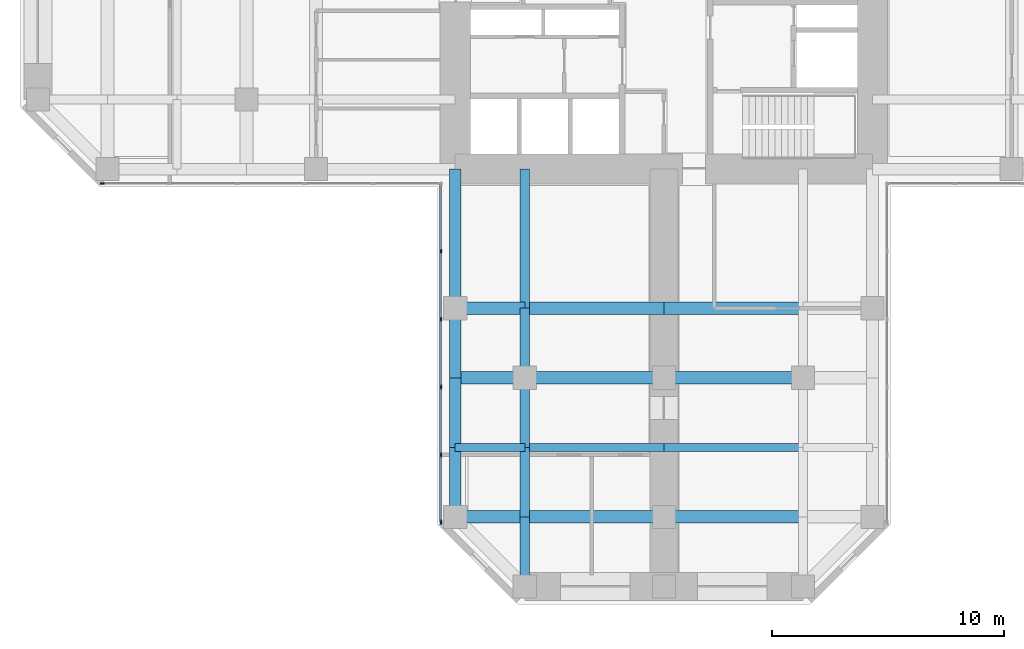
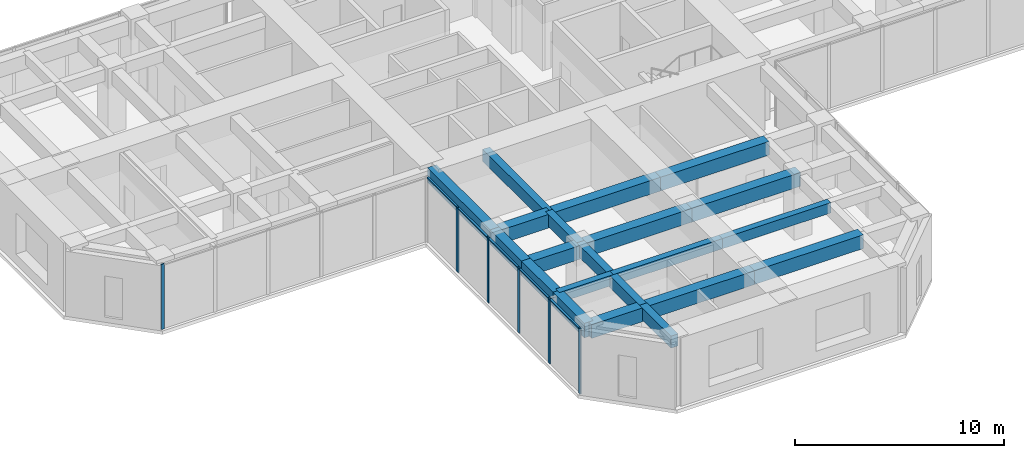
# One storey, part 2 of 12: 21 beams, 11 members, 2 elements without a shape of their own.
"""IFC4 building model written with IfcOpenShell, lengths in metres."""

from ifc_helpers import new_model, si_unit, direction, frame, origin, origin_2d, place, context, subcontext, project, spatial, rectangle, extrude, material, material_profile, profile_set, type_object, element, aggregate, save


model = new_model("IFC4")

# Units and contexts
model_context = context("Model", 3, precision=1e-05, world=origin(), true_north=direction((0.0, 1.0)))
body_context = subcontext(model_context, "Body", "Model", "MODEL_VIEW")
ifc_project = project(units=[si_unit("LENGTHUNIT", "METRE"), si_unit("AREAUNIT", "SQUARE_METRE"), si_unit("VOLUMEUNIT", "CUBIC_METRE"), si_unit("PLANEANGLEUNIT", "RADIAN"), si_unit("MASSUNIT", "GRAM", prefix="KILO")], contexts=[model_context])

# Site, building, storey
site_placement = place(None, origin())
site = spatial("IfcSite", under=ifc_project, at=site_placement, CompositionType="ELEMENT")
building_placement = place(site_placement, origin())
building = spatial("IfcBuilding", under=site, at=building_placement, Name="Torre Cruceta", CompositionType="ELEMENT")
storey_placement = place(building_placement, frame((0.0, 0.0, 112.5)))
storey = spatial("IfcBuildingStorey", under=building, at=storey_placement, Name="L27", CompositionType="ELEMENT", Elevation=112.5)

# Beams
ifc_material_1 = material(Name="Concrete G60 (fck 60 MPa)", Category="concrete")
ifc_material_profile_1 = material_profile(ifc_material_1, rectangle(XDim=0.39990234375, YDim=0.699951171875, at=origin_2d()), Name="RC 400X700")
ifc_profile_set_1 = profile_set([ifc_material_profile_1], Name="Concrete G60 (fck 60 MPa)")
beam_type_1 = type_object("IfcBeamType", Name="COLUMN LINE BEAM RC 400X700", PredefinedType="BEAM", material=ifc_profile_set_1)
beam_1_placement = place(storey_placement, frame((-6.0, -9.0, 3.449951171875), z_axis=(0.0, -1.0, 0.0), x_axis=(1.0, 0.0, 0.0)))
element("IfcBeam", 1, at=beam_1_placement, inside=storey, type_object=beam_type_1, Name="LB5 L27 S col- 1", PredefinedType="BEAM", context=body_context, shape_type="SweptSolid", body=[
    extrude(rectangle(XDim=0.39990234375, YDim=0.699951171875, at=origin_2d()), origin(), (0.0, 0.0, 1.0), 6.0),
])
for number, where, z_axis, x_axis, name in (
    (2, (-6.0, -15.0, 3.449951171875), (0.0, -1.0, 0.0), (1.0, 0.0, 0.0), "LB5 L27 S col- 2"),
    (3, (-6.0, -18.0, 3.449951171875), (0.0, -1.0, 0.0), (1.0, 0.0, 0.0), "LB5 L27 S col- 3"),
    (4, (-6.0, -21.0, 3.449951171875), (0.0, -1.0, 0.0), (1.0, 0.0, 0.0), "LB5 L27 S col- 4"),
    (5, (-6.0, -24.0, 3.449951171875), (0.0, -1.0, 0.0), (1.0, 0.0, 0.0), "LB5 L27 S col- 5"),
):
    element("IfcBeam", number, at=place(storey_placement, frame(where, z_axis=z_axis, x_axis=x_axis)), inside=storey, type_object=beam_type_1, Name=name, PredefinedType="BEAM", context=body_context, shape_type="SweptSolid", body=[
        extrude(rectangle(XDim=0.39990234375, YDim=0.699951171875, at=origin_2d()), origin(), (0.0, 0.0, 1.0), 3.0),
    ])
ifc_material_2 = material(Name="Concrete G60 (fck 60 MPa)", Category="concrete")
ifc_material_profile_2 = material_profile(ifc_material_2, rectangle(XDim=0.550048828125, YDim=0.800048828125, at=origin_2d()), Name="RC 550X800")
ifc_profile_set_2 = profile_set([ifc_material_profile_2], Name="Concrete G60 (fck 60 MPa)")
beam_type_2 = type_object("IfcBeamType", Name="CROSS BEAM RC 550X800", PredefinedType="BEAM", material=ifc_profile_set_2)
beam_2_placement = place(storey_placement, frame((-9.0, -15.0, 3.39990234375), z_axis=(1.0, 0.0, 0.0), x_axis=(0.0, 1.0, 0.0)))
element("IfcBeam", 6, at=beam_2_placement, inside=storey, type_object=beam_type_2, Name="GB5 L27 S cross15 1", PredefinedType="BEAM", context=body_context, shape_type="SweptSolid", body=[
    extrude(rectangle(XDim=0.550048828125, YDim=0.800048828125, at=origin_2d()), origin(), (0.0, 0.0, 1.0), 3.0),
])
for number, where, z_axis, x_axis, name in (
    (7, (-6.0, -15.0, 3.39990234375), (1.0, 0.0, 0.0), (0.0, 1.0, 0.0), "GB5 L27 S cross15 2"),
    (8, (0.0, -15.0, 3.39990234375), (1.0, 0.0, 0.0), (0.0, 1.0, 0.0), "GB5 L27 S cross15 3"),
):
    element("IfcBeam", number, at=place(storey_placement, frame(where, z_axis=z_axis, x_axis=x_axis)), inside=storey, type_object=beam_type_2, Name=name, PredefinedType="BEAM", context=body_context, shape_type="SweptSolid", body=[
        extrude(rectangle(XDim=0.550048828125, YDim=0.800048828125, at=origin_2d()), origin(), (0.0, 0.0, 1.0), 6.0),
    ])
beam_3_placement = place(storey_placement, frame((-9.0, -18.0, 3.39990234375), z_axis=(1.0, 0.0, 0.0), x_axis=(0.0, 1.0, 0.0)))
element("IfcBeam", 9, at=beam_3_placement, inside=storey, type_object=beam_type_2, Name="GB5 L27 S cross18 1", PredefinedType="BEAM", context=body_context, shape_type="SweptSolid", body=[
    extrude(rectangle(XDim=0.550048828125, YDim=0.800048828125, at=origin_2d()), origin(), (0.0, 0.0, 1.0), 3.0),
])
for number, where, z_axis, x_axis, name in (
    (10, (-6.0, -18.0, 3.39990234375), (1.0, 0.0, 0.0), (0.0, 1.0, 0.0), "GB5 L27 S cross18 2"),
    (11, (0.0, -18.0, 3.39990234375), (1.0, 0.0, 0.0), (0.0, 1.0, 0.0), "GB5 L27 S cross18 3"),
):
    element("IfcBeam", number, at=place(storey_placement, frame(where, z_axis=z_axis, x_axis=x_axis)), inside=storey, type_object=beam_type_2, Name=name, PredefinedType="BEAM", context=body_context, shape_type="SweptSolid", body=[
        extrude(rectangle(XDim=0.550048828125, YDim=0.800048828125, at=origin_2d()), origin(), (0.0, 0.0, 1.0), 6.0),
    ])
beam_4_placement = place(storey_placement, frame((-9.0, -24.0, 3.39990234375), z_axis=(1.0, 0.0, 0.0), x_axis=(0.0, 1.0, 0.0)))
element("IfcBeam", 12, at=beam_4_placement, inside=storey, type_object=beam_type_2, Name="GB5 L27 S cross24 1", PredefinedType="BEAM", context=body_context, shape_type="SweptSolid", body=[
    extrude(rectangle(XDim=0.550048828125, YDim=0.800048828125, at=origin_2d()), origin(), (0.0, 0.0, 1.0), 3.0),
])
for number, where, z_axis, x_axis, name in (
    (13, (-6.0, -24.0, 3.39990234375), (1.0, 0.0, 0.0), (0.0, 1.0, 0.0), "GB5 L27 S cross24 2"),
    (14, (0.0, -24.0, 3.39990234375), (1.0, 0.0, 0.0), (0.0, 1.0, 0.0), "GB5 L27 S cross24 3"),
):
    element("IfcBeam", number, at=place(storey_placement, frame(where, z_axis=z_axis, x_axis=x_axis)), inside=storey, type_object=beam_type_2, Name=name, PredefinedType="BEAM", context=body_context, shape_type="SweptSolid", body=[
        extrude(rectangle(XDim=0.550048828125, YDim=0.800048828125, at=origin_2d()), origin(), (0.0, 0.0, 1.0), 6.0),
    ])

# Curtain wall, member
ifc_material_3 = material(Name="Aluminium unitised curtain wall", Category="aluminium")
curtain_wall_type = type_object("IfcCurtainWallType", Name="CURTAIN WALL CW-B OFFICE MID RISE", PredefinedType="USERDEFINED", material=ifc_material_3)
curtain_wall_1_placement = place(storey_placement, origin())
curtain_wall_1 = element("IfcCurtainWall", 15, at=curtain_wall_1_placement, inside=storey, type_object=curtain_wall_type, Name="CW-B L27 W side 14", ObjectType="UNITISED", PredefinedType="USERDEFINED")
ifc_material_4 = material(Name="Aluminium mullion", Category="aluminium")
ifc_material_profile_3 = material_profile(ifc_material_4, rectangle(XDim=0.06494140625, YDim=0.179931640625, at=origin_2d()), Name="AL 65X180")
ifc_profile_set_3 = profile_set([ifc_material_profile_3], Name="Aluminium mullion")
member_type_1 = type_object("IfcMemberType", Name="CW-B MULLION 65X180", PredefinedType="MULLION", material=ifc_profile_set_3)
member_1_placement = place(storey_placement, frame((-24.224365234375, -9.6201171875, 0.0), z_axis=(0.0, 0.0, 1.0), x_axis=(0.0, 1.0, 0.0)))
member_1 = element("IfcMember", 16, at=member_1_placement, type_object=member_type_1, Name="CW-B mullion 1", PredefinedType="MULLION", context=body_context, shape_type="SweptSolid", body=[
    extrude(rectangle(XDim=0.06494140625, YDim=0.179931640625, at=origin_2d()), origin(), (0.0, 0.0, 1.0), 3.800048828125),
])
aggregate(curtain_wall_1, [member_1])

# Curtain wall, members
curtain_wall_2_placement = place(storey_placement, origin())
curtain_wall_2 = element("IfcCurtainWall", 17, at=curtain_wall_2_placement, inside=storey, type_object=curtain_wall_type, Name="CW-B L27 S side 15", ObjectType="UNITISED", PredefinedType="USERDEFINED")
member_2_placement = place(storey_placement, frame((-9.6201171875, -12.54736328125, 0.0), z_axis=(0.0, 0.0, 1.0), x_axis=(1.0, 0.0, 0.0)))
member_2 = element("IfcMember", 18, at=member_2_placement, type_object=member_type_1, Name="CW-B mullion 2", PredefinedType="MULLION", context=body_context, shape_type="SweptSolid", body=[
    extrude(rectangle(XDim=0.06494140625, YDim=0.179931640625, at=origin_2d()), origin(), (0.0, 0.0, 1.0), 3.800048828125),
])
member_3_placement = place(storey_placement, frame((-9.6201171875, -15.474609375, 0.0), z_axis=(0.0, 0.0, 1.0), x_axis=(1.0, 0.0, 0.0)))
member_3 = element("IfcMember", 19, at=member_3_placement, type_object=member_type_1, Name="CW-B mullion 3", PredefinedType="MULLION", context=body_context, shape_type="SweptSolid", body=[
    extrude(rectangle(XDim=0.06494140625, YDim=0.179931640625, at=origin_2d()), origin(), (0.0, 0.0, 1.0), 3.800048828125),
])
member_4_placement = place(storey_placement, frame((-9.6201171875, -18.402099609375, 0.0), z_axis=(0.0, 0.0, 1.0), x_axis=(1.0, 0.0, 0.0)))
member_4 = element("IfcMember", 20, at=member_4_placement, type_object=member_type_1, Name="CW-B mullion 4", PredefinedType="MULLION", context=body_context, shape_type="SweptSolid", body=[
    extrude(rectangle(XDim=0.06494140625, YDim=0.179931640625, at=origin_2d()), origin(), (0.0, 0.0, 1.0), 3.800048828125),
])
member_5_placement = place(storey_placement, frame((-9.6201171875, -21.329345703125, 0.0), z_axis=(0.0, 0.0, 1.0), x_axis=(1.0, 0.0, 0.0)))
member_5 = element("IfcMember", 21, at=member_5_placement, type_object=member_type_1, Name="CW-B mullion 5", PredefinedType="MULLION", context=body_context, shape_type="SweptSolid", body=[
    extrude(rectangle(XDim=0.06494140625, YDim=0.179931640625, at=origin_2d()), origin(), (0.0, 0.0, 1.0), 3.800048828125),
])
member_6_placement = place(storey_placement, frame((-9.6201171875, -24.224365234375, 0.0), z_axis=(0.0, 0.0, 1.0), x_axis=(1.0, 0.0, 0.0)))
member_6 = element("IfcMember", 22, at=member_6_placement, type_object=member_type_1, Name="CW-B mullion 6", PredefinedType="MULLION", context=body_context, shape_type="SweptSolid", body=[
    extrude(rectangle(XDim=0.06494140625, YDim=0.179931640625, at=origin_2d()), origin(), (0.0, 0.0, 1.0), 3.800048828125),
])
ifc_material_5 = material(Name="Aluminium transom", Category="aluminium")
ifc_material_profile_4 = material_profile(ifc_material_5, rectangle(XDim=0.110107421875, YDim=0.06494140625, at=origin_2d()), Name="AL 110X65")
ifc_profile_set_4 = profile_set([ifc_material_profile_4], Name="Aluminium transom")
member_type_2 = type_object("IfcMemberType", Name="CW-B TRANSOM 65X110", PredefinedType="USERDEFINED", material=ifc_profile_set_4)
member_7_placement = place(storey_placement, frame((-9.6201171875, -9.68505859375, 3.767578125), z_axis=(0.0, -1.0, 0.0), x_axis=(1.0, 0.0, 0.0)))
member_7 = element("IfcMember", 23, at=member_7_placement, type_object=member_type_2, Name="CW-B transom 1", ObjectType="TRANSOM", PredefinedType="USERDEFINED", context=body_context, shape_type="SweptSolid", body=[
    extrude(rectangle(XDim=0.110107421875, YDim=0.06494140625, at=origin_2d()), origin(), (0.0, 0.0, 1.0), 2.829833984375),
])
member_8_placement = place(storey_placement, frame((-9.6201171875, -12.579833984375, 3.767578125), z_axis=(0.0, -1.0, 0.0), x_axis=(1.0, 0.0, 0.0)))
member_8 = element("IfcMember", 24, at=member_8_placement, type_object=member_type_2, Name="CW-B transom 2", ObjectType="TRANSOM", PredefinedType="USERDEFINED", context=body_context, shape_type="SweptSolid", body=[
    extrude(rectangle(XDim=0.110107421875, YDim=0.06494140625, at=origin_2d()), origin(), (0.0, 0.0, 1.0), 2.8623046875),
])
member_9_placement = place(storey_placement, frame((-9.6201171875, -15.50732421875, 3.767578125), z_axis=(0.0, -1.0, 0.0), x_axis=(1.0, 0.0, 0.0)))
member_9 = element("IfcMember", 25, at=member_9_placement, type_object=member_type_2, Name="CW-B transom 3", ObjectType="TRANSOM", PredefinedType="USERDEFINED", context=body_context, shape_type="SweptSolid", body=[
    extrude(rectangle(XDim=0.110107421875, YDim=0.06494140625, at=origin_2d()), origin(), (0.0, 0.0, 1.0), 2.8623046875),
])
member_10_placement = place(storey_placement, frame((-9.6201171875, -18.4345703125, 3.767578125), z_axis=(0.0, -1.0, 0.0), x_axis=(1.0, 0.0, 0.0)))
member_10 = element("IfcMember", 26, at=member_10_placement, type_object=member_type_2, Name="CW-B transom 4", ObjectType="TRANSOM", PredefinedType="USERDEFINED", context=body_context, shape_type="SweptSolid", body=[
    extrude(rectangle(XDim=0.110107421875, YDim=0.06494140625, at=origin_2d()), origin(), (0.0, 0.0, 1.0), 2.8623046875),
])
member_11_placement = place(storey_placement, frame((-9.6201171875, -21.362060546875, 3.767578125), z_axis=(0.0, -1.0, 0.0), x_axis=(1.0, 0.0, 0.0)))
member_11 = element("IfcMember", 27, at=member_11_placement, type_object=member_type_2, Name="CW-B transom 5", ObjectType="TRANSOM", PredefinedType="USERDEFINED", context=body_context, shape_type="SweptSolid", body=[
    extrude(rectangle(XDim=0.110107421875, YDim=0.06494140625, at=origin_2d()), origin(), (0.0, 0.0, 1.0), 2.829833984375),
])
aggregate(curtain_wall_2, [member_2, member_3, member_4, member_5, member_6, member_7, member_8, member_9, member_10, member_11])

# Beams
ifc_material_6 = material(Name="Concrete G60 (fck 60 MPa)", Category="concrete")
ifc_material_profile_5 = material_profile(ifc_material_6, rectangle(XDim=0.35009765625, YDim=0.60009765625, at=origin_2d()), Name="RC 350X600")
ifc_profile_set_5 = profile_set([ifc_material_profile_5], Name="Concrete G60 (fck 60 MPa)")
beam_type_3 = type_object("IfcBeamType", Name="SECONDARY BEAM RC 350X600", PredefinedType="JOIST", material=ifc_profile_set_5)
beam_5_placement = place(storey_placement, frame((-9.0, -21.0, 3.5), z_axis=(1.0, 0.0, 0.0), x_axis=(0.0, 1.0, 0.0)))
element("IfcBeam", 28, at=beam_5_placement, inside=storey, type_object=beam_type_3, Name="JB5 L27 S sec21 1", PredefinedType="JOIST", context=body_context, shape_type="SweptSolid", body=[
    extrude(rectangle(XDim=0.35009765625, YDim=0.60009765625, at=origin_2d()), origin(), (0.0, 0.0, 1.0), 3.0),
])
for number, where, z_axis, x_axis, name in (
    (29, (-6.0, -21.0, 3.5), (1.0, 0.0, 0.0), (0.0, 1.0, 0.0), "JB5 L27 S sec21 2"),
    (30, (0.0, -21.0, 3.5), (1.0, 0.0, 0.0), (0.0, 1.0, 0.0), "JB5 L27 S sec21 3"),
):
    element("IfcBeam", number, at=place(storey_placement, frame(where, z_axis=z_axis, x_axis=x_axis)), inside=storey, type_object=beam_type_3, Name=name, PredefinedType="JOIST", context=body_context, shape_type="SweptSolid", body=[
        extrude(rectangle(XDim=0.35009765625, YDim=0.60009765625, at=origin_2d()), origin(), (0.0, 0.0, 1.0), 6.0),
    ])
ifc_material_7 = material(Name="Concrete G60 (fck 60 MPa)", Category="concrete")
ifc_material_profile_6 = material_profile(ifc_material_7, rectangle(XDim=0.5, YDim=0.85009765625, at=origin_2d()), Name="RC 500X850")
ifc_profile_set_6 = profile_set([ifc_material_profile_6], Name="Concrete G60 (fck 60 MPa)")
beam_type_4 = type_object("IfcBeamType", Name="SPANDREL BEAM RC 500X850", PredefinedType="SPANDREL", material=ifc_profile_set_6)
beam_6_placement = place(storey_placement, frame((-9.0, -9.0, 3.375), z_axis=(0.0, -1.0, 0.0), x_axis=(1.0, 0.0, 0.0)))
element("IfcBeam", 31, at=beam_6_placement, inside=storey, type_object=beam_type_4, Name="SB5 L27 S side- 1", PredefinedType="SPANDREL", context=body_context, shape_type="SweptSolid", body=[
    extrude(rectangle(XDim=0.5, YDim=0.85009765625, at=origin_2d()), origin(), (0.0, 0.0, 1.0), 6.0),
])
for number, where, z_axis, x_axis, name in (
    (32, (-9.0, -15.0, 3.375), (0.0, -1.0, 0.0), (1.0, 0.0, 0.0), "SB5 L27 S side- 2"),
    (33, (-9.0, -18.0, 3.375), (0.0, -1.0, 0.0), (1.0, 0.0, 0.0), "SB5 L27 S side- 3"),
    (34, (-9.0, -21.0, 3.375), (0.0, -1.0, 0.0), (1.0, 0.0, 0.0), "SB5 L27 S side- 4"),
):
    element("IfcBeam", number, at=place(storey_placement, frame(where, z_axis=z_axis, x_axis=x_axis)), inside=storey, type_object=beam_type_4, Name=name, PredefinedType="SPANDREL", context=body_context, shape_type="SweptSolid", body=[
        extrude(rectangle(XDim=0.5, YDim=0.85009765625, at=origin_2d()), origin(), (0.0, 0.0, 1.0), 3.0),
    ])

save(model, "model.ifc")
